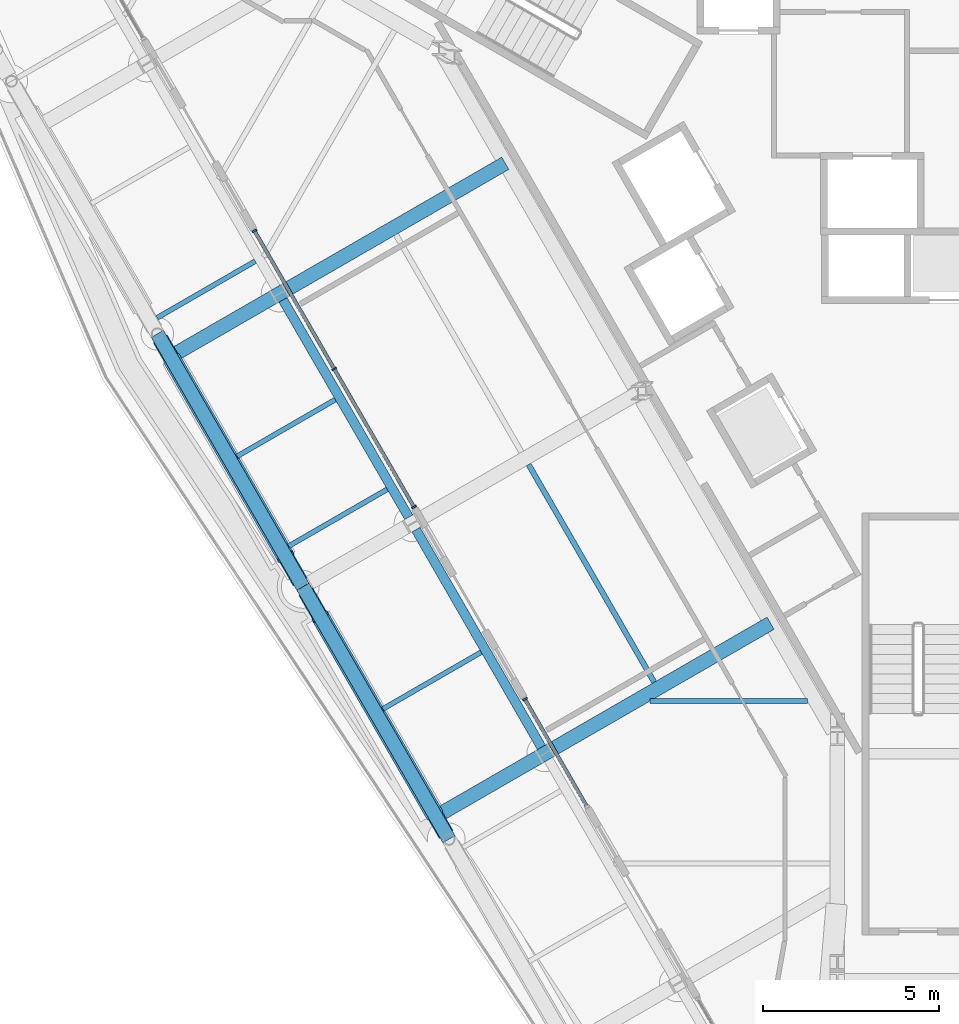
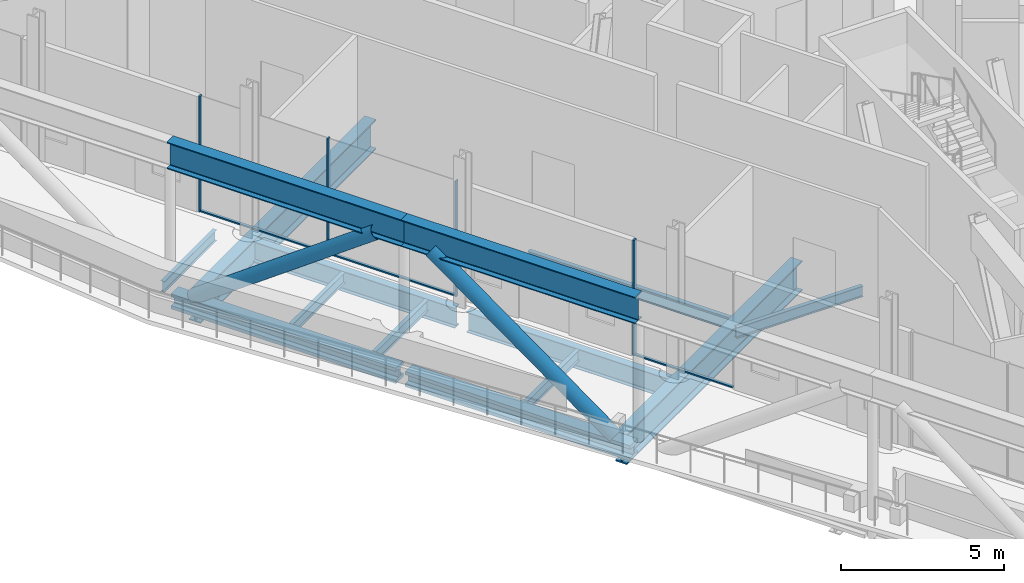
# One storey, part 6 of 25: 14 beams, 9 members, 2 elements without a shape of their own.
"""IFC4 building model written with IfcOpenShell, lengths in metres."""

from ifc_helpers import new_model, si_unit, direction, frame, origin, origin_2d, place, context, subcontext, project, spatial, rectangle, hollow_circle, i_section, extrude, material, material_profile, profile_set, type_object, element, aggregate, save


model = new_model("IFC4")

# Units and contexts
model_context = context("Model", 3, precision=1e-05, world=origin(), true_north=direction((0.0, 1.0)))
body_context = subcontext(model_context, "Body", "Model", "MODEL_VIEW")
ifc_project = project(units=[si_unit("LENGTHUNIT", "METRE"), si_unit("AREAUNIT", "SQUARE_METRE"), si_unit("VOLUMEUNIT", "CUBIC_METRE"), si_unit("PLANEANGLEUNIT", "RADIAN"), si_unit("MASSUNIT", "GRAM", prefix="KILO")], contexts=[model_context])

# Site, building, storey
site_placement = place(None, origin())
site = spatial("IfcSite", under=ifc_project, at=site_placement, CompositionType="ELEMENT")
building_placement = place(site_placement, origin())
building = spatial("IfcBuilding", under=site, at=building_placement, Name="Verrane Prism Tower", CompositionType="ELEMENT")
storey_placement = place(building_placement, frame((0.0, 0.0, 143.199951171875)))
storey = spatial("IfcBuildingStorey", under=building, at=storey_placement, Name="L35", CompositionType="ELEMENT", Elevation=143.199951171875)

# Beams
ifc_material_1 = material(Name="Steel A992", Category="steel")
ifc_material_profile_1 = material_profile(ifc_material_1, i_section(OverallWidth=0.45458984375, OverallDepth=0.56884765625, WebThickness=0.077880859375, FlangeThickness=0.124755859375, FilletRadius=0.01513671875, at=origin_2d()), Name="W14x730")
ifc_profile_set_1 = profile_set([ifc_material_profile_1], Name="Steel A992")
beam_type_1 = type_object("IfcBeamType", Name="Belt truss chord W14x730", PredefinedType="BEAM", material=ifc_profile_set_1)
beam_1_placement = place(storey_placement, frame((-21.548828125, -3.05078125, -0.445556640625), z_axis=(0.49899581019, -0.866604397296, 0.0), x_axis=(0.866604397296, 0.49899581019, 0.0)))
element("IfcBeam", 1, at=beam_1_placement, inside=storey, type_object=beam_type_1, Name="Belt truss chord L35", PredefinedType="BEAM", context=body_context, shape_type="SweptSolid", body=[
    extrude(i_section(OverallWidth=0.45458984375, OverallDepth=0.56884765625, WebThickness=0.077880859375, FlangeThickness=0.124755859375, FilletRadius=0.01513671875, at=origin_2d()), origin(), (0.0, 0.0, 1.0), 7.9716796875),
])
beam_2_placement = place(storey_placement, frame((-17.40869140625, -10.24072265625, -0.445556640625), z_axis=(0.50040929447, -0.865788968518, 0.0), x_axis=(0.865788968518, 0.50040929447, 0.0)))
element("IfcBeam", 2, at=beam_2_placement, inside=storey, type_object=beam_type_1, Name="Belt truss chord L35", PredefinedType="BEAM", context=body_context, shape_type="SweptSolid", body=[
    extrude(i_section(OverallWidth=0.45458984375, OverallDepth=0.56884765625, WebThickness=0.077880859375, FlangeThickness=0.124755859375, FilletRadius=0.01513671875, at=origin_2d()), origin(), (0.0, 0.0, 1.0), 7.968017578125),
])
ifc_material_2 = material(Name="Steel A992", Category="steel")
ifc_material_profile_2 = material_profile(ifc_material_2, i_section(OverallWidth=0.4013671875, OverallDepth=1.000732421875, WebThickness=0.01904296875, FlangeThickness=0.0361328125, FilletRadius=0.030029296875, at=origin_2d()), Name="W40x249")
ifc_profile_set_2 = profile_set([ifc_material_profile_2], Name="Steel A992")
beam_type_2 = type_object("IfcBeamType", Name="Belt truss chord W40x249", PredefinedType="BEAM", material=ifc_profile_set_2)
beam_3_placement = place(storey_placement, frame((-21.6298828125, -2.909912109375, 4.939697265625), z_axis=(0.49897248112, -0.866617829891, 0.0), x_axis=(0.866617829891, 0.49897248112, 0.0)))
element("IfcBeam", 3, at=beam_3_placement, inside=storey, type_object=beam_type_2, Name="Belt truss chord L35", PredefinedType="BEAM", context=body_context, shape_type="SweptSolid", body=[
    extrude(i_section(OverallWidth=0.4013671875, OverallDepth=1.000732421875, WebThickness=0.01904296875, FlangeThickness=0.0361328125, FilletRadius=0.030029296875, at=origin_2d()), origin(), (0.0, 0.0, 1.0), 8.296875),
])
beam_4_placement = place(storey_placement, frame((-17.489990234375, -10.10009765625, 4.939697265625), z_axis=(0.500412963415, -0.865786847928, 0.0), x_axis=(0.865786847928, 0.500412963415, 0.0)))
element("IfcBeam", 4, at=beam_4_placement, inside=storey, type_object=beam_type_2, Name="Belt truss chord L35", PredefinedType="BEAM", context=body_context, shape_type="SweptSolid", body=[
    extrude(i_section(OverallWidth=0.4013671875, OverallDepth=1.000732421875, WebThickness=0.01904296875, FlangeThickness=0.0361328125, FilletRadius=0.030029296875, at=origin_2d()), origin(), (0.0, 0.0, 1.0), 8.29296875),
])

# Members
ifc_material_3 = material(Name="Steel A500 Grade C", Category="steel")
ifc_material_profile_3 = material_profile(ifc_material_3, hollow_circle(Radius=0.25390625, WallThickness=0.0126953125, at=origin_2d()), Name="HSS20.000x0.500")
ifc_profile_set_3 = profile_set([ifc_material_profile_3], Name="Steel A500 Grade C")
member_type_1 = type_object("IfcMemberType", Name="Belt truss diagonal HSS20.000x0.500", PredefinedType="BRACE", material=ifc_profile_set_3)
member_1_placement = place(storey_placement, frame((-21.216552734375, -3.628173828125, -0.160888671875), z_axis=(0.403915120601, -0.701487129803, 0.587169806845), x_axis=(0.866607183047, 0.498990972154, 0.0)))
element("IfcMember", 5, at=member_1_placement, inside=storey, type_object=member_type_1, Name="Belt truss diagonal L35", PredefinedType="BRACE", context=body_context, shape_type="SweptSolid", body=[
    extrude(hollow_circle(Radius=0.25390625, WallThickness=0.0126953125, at=origin_2d()), origin(), (0.0, 0.0, 1.0), 8.021484375),
])
member_2_placement = place(storey_placement, frame((-13.754638671875, -16.562744140625, -0.160888671875), z_axis=(-0.404989270182, 0.700708769601, 0.587359269309), x_axis=(-0.865792640311, -0.500402941621, 0.0)))
element("IfcMember", 6, at=member_2_placement, inside=storey, type_object=member_type_1, Name="Belt truss diagonal L35", PredefinedType="BRACE", context=body_context, shape_type="SweptSolid", body=[
    extrude(hollow_circle(Radius=0.25390625, WallThickness=0.0126953125, at=origin_2d()), origin(), (0.0, 0.0, 1.0), 8.018798828125),
])

# Beams
ifc_material_4 = material(Name="Steel A992", Category="steel")
ifc_material_profile_4 = material_profile(ifc_material_4, i_section(OverallWidth=0.140380859375, OverallDepth=0.40380859375, WebThickness=0.007080078125, FlangeThickness=0.01123046875, FilletRadius=0.01025390625, at=origin_2d()), Name="W16x31")
ifc_profile_set_4 = profile_set([ifc_material_profile_4], Name="Steel A992")
beam_type_3 = type_object("IfcBeamType", Name="Floor beam W16x31", PredefinedType="BEAM", material=ifc_profile_set_4)
beam_5_placement = place(storey_placement, frame((-15.21923828125, -13.57421875, -0.36181640625), z_axis=(0.866028129956, 0.499995278103, 0.0), x_axis=(-0.499995278103, 0.866028129956, 0.0)))
element("IfcBeam", 7, at=beam_5_placement, inside=storey, type_object=beam_type_3, Name="Floor beam L35", PredefinedType="BEAM", context=body_context, shape_type="SweptSolid", body=[
    extrude(i_section(OverallWidth=0.140380859375, OverallDepth=0.40380859375, WebThickness=0.007080078125, FlangeThickness=0.01123046875, FilletRadius=0.01025390625, at=origin_2d()), origin(), (0.0, 0.0, 1.0), 3.2275390625),
])
beam_6_placement = place(storey_placement, frame((-17.892578125, -8.944580078125, -0.36181640625), z_axis=(0.866029485168, 0.49999293077, 0.0), x_axis=(-0.49999293077, 0.866029485168, 0.0)))
element("IfcBeam", 8, at=beam_6_placement, inside=storey, type_object=beam_type_3, Name="Floor beam L35", PredefinedType="BEAM", context=body_context, shape_type="SweptSolid", body=[
    extrude(i_section(OverallWidth=0.140380859375, OverallDepth=0.40380859375, WebThickness=0.007080078125, FlangeThickness=0.01123046875, FilletRadius=0.01025390625, at=origin_2d()), origin(), (0.0, 0.0, 1.0), 3.2294921875),
])
beam_7_placement = place(storey_placement, frame((-19.36279296875, -6.3916015625, -0.36181640625), z_axis=(0.866034203951, 0.499984757355, 0.0), x_axis=(-0.499984757355, 0.866034203951, 0.0)))
element("IfcBeam", 9, at=beam_7_placement, inside=storey, type_object=beam_type_3, Name="Floor beam L35", PredefinedType="BEAM", context=body_context, shape_type="SweptSolid", body=[
    extrude(i_section(OverallWidth=0.140380859375, OverallDepth=0.40380859375, WebThickness=0.007080078125, FlangeThickness=0.01123046875, FilletRadius=0.01025390625, at=origin_2d()), origin(), (0.0, 0.0, 1.0), 3.22265625),
])
beam_8_placement = place(storey_placement, frame((-21.631591796875, -2.452392578125, -0.36181640625), z_axis=(0.866028773314, 0.499994163758, 0.0), x_axis=(-0.499994163758, 0.866028773314, 0.0)))
element("IfcBeam", 10, at=beam_8_placement, inside=storey, type_object=beam_type_3, Name="Floor beam L35", PredefinedType="BEAM", context=body_context, shape_type="SweptSolid", body=[
    extrude(i_section(OverallWidth=0.140380859375, OverallDepth=0.40380859375, WebThickness=0.007080078125, FlangeThickness=0.01123046875, FilletRadius=0.01025390625, at=origin_2d()), origin(), (0.0, 0.0, 1.0), 3.21484375),
])
beam_9_placement = place(storey_placement, frame((-7.630615234375, -13.353271484375, -0.36181640625), z_axis=(1.0, 0.0, 0.0), x_axis=(0.0, 1.0, 0.0)))
element("IfcBeam", 11, at=beam_9_placement, inside=storey, type_object=beam_type_3, Name="Floor beam L35", PredefinedType="BEAM", context=body_context, shape_type="SweptSolid", body=[
    extrude(i_section(OverallWidth=0.140380859375, OverallDepth=0.40380859375, WebThickness=0.007080078125, FlangeThickness=0.01123046875, FilletRadius=0.01025390625, at=origin_2d()), origin(), (0.0, 0.0, 1.0), 4.4794921875),
])
ifc_material_5 = material(Name="Steel A992", Category="steel")
ifc_material_profile_5 = material_profile(ifc_material_5, i_section(OverallWidth=0.15234375, OverallDepth=0.449462890625, WebThickness=0.007568359375, FlangeThickness=0.0107421875, FilletRadius=0.01025390625, at=origin_2d()), Name="W18x35")
ifc_profile_set_5 = profile_set([ifc_material_profile_5], Name="Steel A992")
beam_type_4 = type_object("IfcBeamType", Name="Floor beam W18x35", PredefinedType="BEAM", material=ifc_profile_set_5)
beam_10_placement = place(storey_placement, frame((-7.50390625, -12.813720703125, -0.384765625), z_axis=(-0.499990639951, 0.866030807744, 0.0), x_axis=(-0.866030807744, -0.499990639951, 0.0)))
element("IfcBeam", 12, at=beam_10_placement, inside=storey, type_object=beam_type_4, Name="Floor beam L35", PredefinedType="BEAM", context=body_context, shape_type="SweptSolid", body=[
    extrude(i_section(OverallWidth=0.15234375, OverallDepth=0.449462890625, WebThickness=0.007568359375, FlangeThickness=0.0107421875, FilletRadius=0.01025390625, at=origin_2d()), origin(), (0.0, 0.0, 1.0), 7.144775390625),
])

# Curtain wall, members
ifc_material_6 = material(Name="Aluminium framed insulated glazing", Category="aluminium")
curtain_wall_type = type_object("IfcCurtainWallType", Name="Curtain wall CW-C 4200 module", PredefinedType="NOTDEFINED", material=ifc_material_6)
curtain_wall_1_placement = place(storey_placement, origin())
curtain_wall_1 = element("IfcCurtainWall", 13, at=curtain_wall_1_placement, inside=storey, type_object=curtain_wall_type, Name="Refuge lounge glazing south-west face L35 2", PredefinedType="NOTDEFINED")
ifc_material_7 = material(Name="Aluminium alloy 6063-T6", Category="aluminium")
ifc_material_profile_6 = material_profile(ifc_material_7, rectangle(XDim=0.139892578125, YDim=0.050048828125, at=origin_2d()), Name="Mullion 50x140 aluminium")
ifc_profile_set_6 = profile_set([ifc_material_profile_6], Name="Aluminium alloy 6063-T6")
member_type_2 = type_object("IfcMemberType", Name="Mullion 50x140 aluminium", PredefinedType="MULLION", material=ifc_profile_set_6)
member_3_placement = place(storey_placement, frame((-18.86767578125, 0.017578125, 0.0), z_axis=(0.0, 0.0, 1.0), x_axis=(0.866023145503, 0.500003911438, 0.0)))
member_3 = element("IfcMember", 14, at=member_3_placement, type_object=member_type_2, Name="CW35.4.2 mullion 1", PredefinedType="MULLION", context=body_context, shape_type="SweptSolid", body=[
    extrude(rectangle(XDim=0.139892578125, YDim=0.050048828125, at=origin_2d()), origin(), (0.0, 0.0, 1.0), 4.322509765625),
])
member_4_placement = place(storey_placement, frame((-16.6015625, -3.9072265625, 0.0), z_axis=(0.0, 0.0, 1.0), x_axis=(0.866023145503, 0.500003911438, 0.0)))
member_4 = element("IfcMember", 15, at=member_4_placement, type_object=member_type_2, Name="CW35.4.2 mullion 2", PredefinedType="MULLION", context=body_context, shape_type="SweptSolid", body=[
    extrude(rectangle(XDim=0.139892578125, YDim=0.050048828125, at=origin_2d()), origin(), (0.0, 0.0, 1.0), 4.322509765625),
])
member_5_placement = place(storey_placement, frame((-14.335693359375, -7.831787109375, 0.0), z_axis=(0.0, 0.0, 1.0), x_axis=(0.866023145503, 0.500003911438, 0.0)))
member_5 = element("IfcMember", 16, at=member_5_placement, type_object=member_type_2, Name="CW35.4.2 mullion 3", PredefinedType="MULLION", context=body_context, shape_type="SweptSolid", body=[
    extrude(rectangle(XDim=0.139892578125, YDim=0.050048828125, at=origin_2d()), origin(), (0.0, 0.0, 1.0), 4.322509765625),
])

# Curtain wall, member
curtain_wall_2_placement = place(storey_placement, origin())
curtain_wall_2 = element("IfcCurtainWall", 17, at=curtain_wall_2_placement, inside=storey, type_object=curtain_wall_type, Name="Refuge lounge glazing south-west face L35 3", PredefinedType="NOTDEFINED")
member_6_placement = place(storey_placement, frame((-11.1806640625, -13.29638671875, 0.0), z_axis=(0.0, 0.0, 1.0), x_axis=(0.86603091481, 0.499990454503, 0.0)))
member_6 = element("IfcMember", 18, at=member_6_placement, type_object=member_type_2, Name="CW35.4.3 mullion 1", PredefinedType="MULLION", context=body_context, shape_type="SweptSolid", body=[
    extrude(rectangle(XDim=0.139892578125, YDim=0.050048828125, at=origin_2d()), origin(), (0.0, 0.0, 1.0), 4.322509765625),
])

# Beams
ifc_material_8 = material(Name="Steel A992", Category="steel")
ifc_material_profile_7 = material_profile(ifc_material_8, i_section(OverallWidth=0.2666015625, OverallDepth=0.7568359375, WebThickness=0.013916015625, FlangeThickness=0.019287109375, FilletRadius=0.0166015625, at=origin_2d()), Name="W30x108")
ifc_profile_set_7 = profile_set([ifc_material_profile_7], Name="Steel A992")
beam_type_5 = type_object("IfcBeamType", Name="Spandrel beam W30x108", PredefinedType="SPANDREL", material=ifc_profile_set_7)
beam_11_placement = place(storey_placement, frame((-18.056884765625, -1.947998046875, -0.538330078125), z_axis=(0.500974211218, -0.865462211592, 0.0), x_axis=(0.865462211592, 0.500974211218, 0.0)))
element("IfcBeam", 19, at=beam_11_placement, inside=storey, type_object=beam_type_5, Name="Spandrel beam L35", PredefinedType="SPANDREL", context=body_context, shape_type="SweptSolid", body=[
    extrude(i_section(OverallWidth=0.2666015625, OverallDepth=0.7568359375, WebThickness=0.013916015625, FlangeThickness=0.019287109375, FilletRadius=0.0166015625, at=origin_2d()), origin(), (0.0, 0.0, 1.0), 7.133544921875),
])
beam_12_placement = place(storey_placement, frame((-14.27734375, -8.478271484375, -0.538330078125), z_axis=(0.499432230493, -0.866352957601, 0.0), x_axis=(0.866352957601, 0.499432230493, 0.0)))
element("IfcBeam", 20, at=beam_12_placement, inside=storey, type_object=beam_type_5, Name="Spandrel beam L35", PredefinedType="SPANDREL", context=body_context, shape_type="SweptSolid", body=[
    extrude(i_section(OverallWidth=0.2666015625, OverallDepth=0.7568359375, WebThickness=0.013916015625, FlangeThickness=0.019287109375, FilletRadius=0.0166015625, at=origin_2d()), origin(), (0.0, 0.0, 1.0), 7.137451171875),
])
ifc_material_9 = material(Name="Steel A992", Category="steel")
ifc_material_profile_8 = material_profile(ifc_material_9, i_section(OverallWidth=0.40380859375, OverallDepth=1.11767578125, WebThickness=0.026123046875, FlangeThickness=0.044921875, FilletRadius=0.02001953125, at=origin_2d()), Name="W44x335")
ifc_profile_set_8 = profile_set([ifc_material_profile_8], Name="Steel A992")
beam_type_6 = type_object("IfcBeamType", Name="Transfer girder W44x335", PredefinedType="BEAM", material=ifc_profile_set_8)
beam_13_placement = place(storey_placement, frame((-21.061767578125, -3.4453125, -0.71875), z_axis=(0.866025470363, 0.499999884683, 0.0), x_axis=(-0.499999884683, 0.866025470363, 0.0)))
element("IfcBeam", 21, at=beam_13_placement, inside=storey, type_object=beam_type_6, Name="Transfer girder L35", PredefinedType="BEAM", context=body_context, shape_type="SweptSolid", body=[
    extrude(i_section(OverallWidth=0.40380859375, OverallDepth=1.11767578125, WebThickness=0.026123046875, FlangeThickness=0.044921875, FilletRadius=0.02001953125, at=origin_2d()), origin(), (0.0, 0.0, 1.0), 10.76611328125),
])
beam_14_placement = place(storey_placement, frame((-13.514892578125, -16.51708984375, -0.71875), z_axis=(0.866025768511, 0.499999368275, 0.0), x_axis=(-0.499999368275, 0.866025768511, 0.0)))
element("IfcBeam", 22, at=beam_14_placement, inside=storey, type_object=beam_type_6, Name="Transfer girder L35", PredefinedType="BEAM", context=body_context, shape_type="SweptSolid", body=[
    extrude(i_section(OverallWidth=0.40380859375, OverallDepth=1.11767578125, WebThickness=0.026123046875, FlangeThickness=0.044921875, FilletRadius=0.02001953125, at=origin_2d()), origin(), (0.0, 0.0, 1.0), 10.7607421875),
])

# Member
ifc_material_10 = material(Name="Aluminium alloy 6063-T6", Category="aluminium")
ifc_material_profile_9 = material_profile(ifc_material_10, rectangle(XDim=0.10009765625, YDim=0.050048828125, at=origin_2d()), Name="Transom 50x100 aluminium")
ifc_profile_set_9 = profile_set([ifc_material_profile_9], Name="Aluminium alloy 6063-T6")
member_type_3 = type_object("IfcMemberType", Name="Transom 50x100 aluminium", PredefinedType="USERDEFINED", material=ifc_profile_set_9)
member_7_placement = place(storey_placement, frame((-18.85498046875, -0.004150390625, 0.025146484375), z_axis=(0.499970804718, -0.866042259032, 0.0), x_axis=(0.866042259032, 0.499970804718, 0.0)))
member_7 = element("IfcMember", 23, at=member_7_placement, type_object=member_type_3, Name="CW35.4.2 transom 1", ObjectType="TRANSOM", PredefinedType="USERDEFINED", context=body_context, shape_type="SweptSolid", body=[
    extrude(rectangle(XDim=0.10009765625, YDim=0.050048828125, at=origin_2d()), origin(), (0.0, 0.0, 1.0), 4.481689453125),
])

member_8_placement = place(storey_placement, frame((-16.589111328125, -3.9287109375, 0.025146484375), z_axis=(0.499988073699, -0.866032289328, 0.0), x_axis=(0.866032289328, 0.499988073699, 0.0)))
member_8 = element("IfcMember", 24, at=member_8_placement, type_object=member_type_3, Name="CW35.4.2 transom 2", ObjectType="TRANSOM", PredefinedType="USERDEFINED", context=body_context, shape_type="SweptSolid", body=[
    extrude(rectangle(XDim=0.10009765625, YDim=0.050048828125, at=origin_2d()), origin(), (0.0, 0.0, 1.0), 4.48193359375),
])

aggregate(curtain_wall_1, [member_3, member_4, member_5, member_7, member_8])

member_9_placement = place(storey_placement, frame((-11.168212890625, -13.318115234375, 0.025146484375), z_axis=(0.500008322851, -0.866020598531, 0.0), x_axis=(0.866020598531, 0.500008322851, 0.0)))
member_9 = element("IfcMember", 25, at=member_9_placement, type_object=member_type_3, Name="CW35.4.3 transom 1", ObjectType="TRANSOM", PredefinedType="USERDEFINED", context=body_context, shape_type="SweptSolid", body=[
    extrude(rectangle(XDim=0.10009765625, YDim=0.050048828125, at=origin_2d()), origin(), (0.0, 0.0, 1.0), 3.474609375),
])

aggregate(curtain_wall_2, [member_6, member_9])

save(model, "model.ifc")
